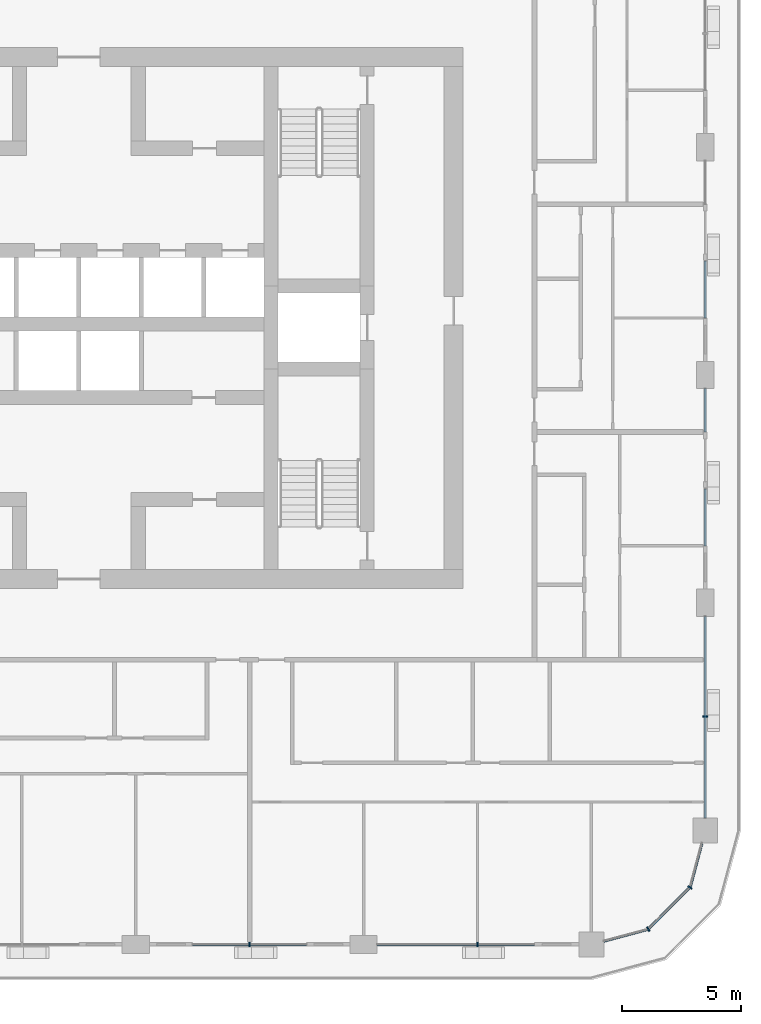
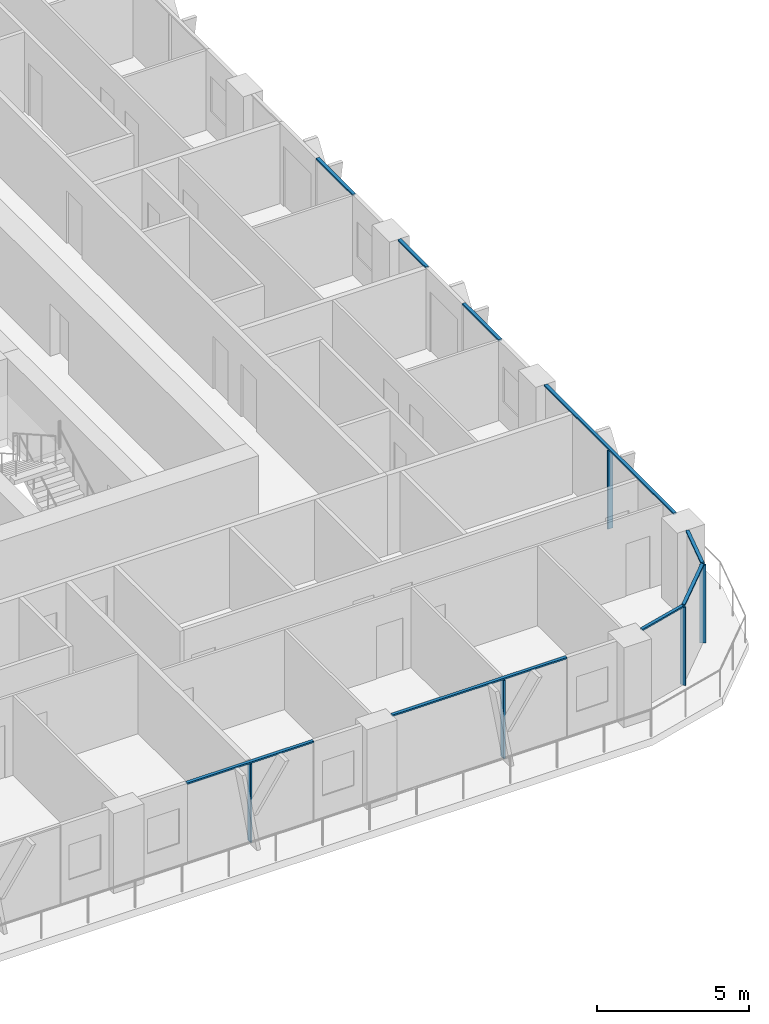
# One storey, part 4 of 22: 14 members, 6 elements without a shape of their own.
"""IFC4 building model written with IfcOpenShell, lengths in metres."""

from ifc_helpers import new_model, si_unit, direction, frame, origin, origin_2d, place, context, subcontext, project, spatial, rectangle, extrude, material, layer, layer_set, material_profile, profile_set, type_object, element, aggregate, save


model = new_model("IFC4")

# Units and contexts
model_context = context("Model", 3, precision=1e-05, world=origin(), true_north=direction((0.0, 1.0)))
body_context = subcontext(model_context, "Body", "Model", "MODEL_VIEW")
ifc_project = project(units=[si_unit("LENGTHUNIT", "METRE"), si_unit("AREAUNIT", "SQUARE_METRE"), si_unit("VOLUMEUNIT", "CUBIC_METRE"), si_unit("PLANEANGLEUNIT", "RADIAN"), si_unit("MASSUNIT", "GRAM", prefix="KILO")], contexts=[model_context])

# Site, building, storey
site_placement = place(None, origin())
site = spatial("IfcSite", under=ifc_project, at=site_placement, CompositionType="ELEMENT")
building_placement = place(site_placement, origin())
building = spatial("IfcBuilding", under=site, at=building_placement, Name="Madar Terraces", CompositionType="ELEMENT")
storey_placement = place(building_placement, frame((0.0, 0.0, 163.0)))
storey = spatial("IfcBuildingStorey", under=building, at=storey_placement, Name="L42", CompositionType="ELEMENT", Elevation=163.0)

# Curtain wall, member
ifc_material_1 = material(Name="Glass, ceramic frit dark grey, with black aluminium frame", Category="aluminium")
ifc_layer = layer(ifc_material_1, 0.199951171875)
ifc_layer_set = layer_set([ifc_layer], Name="Facade curtain wall, fritted glass")
curtain_wall_type = type_object("IfcCurtainWallType", Name="Facade curtain wall, fritted glass", PredefinedType="NOTDEFINED", material=ifc_layer_set)
curtain_wall_1_placement = place(storey_placement, origin())
curtain_wall_1 = element("IfcCurtainWall", 1, at=curtain_wall_1_placement, inside=storey, type_object=curtain_wall_type, Name="Outer skin curtain wall south bay 4", PredefinedType="NOTDEFINED")
ifc_material_2 = material(Name="Aluminium, black anodised", Category="aluminium")
ifc_material_profile_1 = material_profile(ifc_material_2, rectangle(XDim=0.199951171875, YDim=0.06005859375, at=origin_2d()), Name="Facade mullion 60x200")
ifc_profile_set_1 = profile_set([ifc_material_profile_1], Name="Aluminium, black anodised")
member_type_1 = type_object("IfcMemberType", Name="Facade mullion 60x200", PredefinedType="MULLION", material=ifc_profile_set_1)
member_1_placement = place(storey_placement, frame((38.39990234375, 0.0, 0.0), z_axis=(0.0, 0.0, 1.0), x_axis=(0.0, 1.0, 0.0)))
member_1 = element("IfcMember", 2, at=member_1_placement, type_object=member_type_1, Name="Mullion 1", PredefinedType="MULLION", context=body_context, shape_type="SweptSolid", body=[
    extrude(rectangle(XDim=0.199951171875, YDim=0.06005859375, at=origin_2d()), origin(), (0.0, 0.0, 1.0), 3.139892578125),
])

curtain_wall_2_placement = place(storey_placement, origin())
curtain_wall_2 = element("IfcCurtainWall", 3, at=curtain_wall_2_placement, inside=storey, type_object=curtain_wall_type, Name="Outer skin curtain wall south bay 5", PredefinedType="NOTDEFINED")
member_2_placement = place(storey_placement, frame((48.0, 0.0, 0.0), z_axis=(0.0, 0.0, 1.0), x_axis=(0.0, 1.0, 0.0)))
member_2 = element("IfcMember", 4, at=member_2_placement, type_object=member_type_1, Name="Mullion 1", PredefinedType="MULLION", context=body_context, shape_type="SweptSolid", body=[
    extrude(rectangle(XDim=0.199951171875, YDim=0.06005859375, at=origin_2d()), origin(), (0.0, 0.0, 1.0), 3.139892578125),
])

curtain_wall_3_placement = place(storey_placement, origin())
curtain_wall_3 = element("IfcCurtainWall", 5, at=curtain_wall_3_placement, inside=storey, type_object=curtain_wall_type, Name="Outer skin curtain wall east bay 1", PredefinedType="NOTDEFINED")
member_3_placement = place(storey_placement, frame((57.60009765625, 9.60009765625, 0.0), z_axis=(0.0, 0.0, 1.0), x_axis=(-1.0, 0.0, 0.0)))
member_3 = element("IfcMember", 6, at=member_3_placement, type_object=member_type_1, Name="Mullion 1", PredefinedType="MULLION", context=body_context, shape_type="SweptSolid", body=[
    extrude(rectangle(XDim=0.199951171875, YDim=0.06005859375, at=origin_2d()), origin(), (0.0, 0.0, 1.0), 3.139892578125),
])

# Curtain wall, members
curtain_wall_4_placement = place(storey_placement, origin())
curtain_wall_4 = element("IfcCurtainWall", 7, at=curtain_wall_4_placement, inside=storey, type_object=curtain_wall_type, Name="Outer skin curtain wall south-east corner", PredefinedType="NOTDEFINED")
member_4_placement = place(storey_placement, frame((55.199951171875, 0.64306640625, 0.0), z_axis=(0.0, 0.0, 1.0), x_axis=(-0.499999989586, 0.866025409797, 0.0)))
member_4 = element("IfcMember", 8, at=member_4_placement, type_object=member_type_1, Name="Mullion 1", PredefinedType="MULLION", context=body_context, shape_type="SweptSolid", body=[
    extrude(rectangle(XDim=0.199951171875, YDim=0.06005859375, at=origin_2d()), origin(), (0.0, 0.0, 1.0), 3.139892578125),
])
member_5_placement = place(storey_placement, frame((56.95703125, 2.39990234375, 0.0), z_axis=(0.0, 0.0, 1.0), x_axis=(-0.866025409797, 0.499999989586, 0.0)))
member_5 = element("IfcMember", 9, at=member_5_placement, type_object=member_type_1, Name="Mullion 2", PredefinedType="MULLION", context=body_context, shape_type="SweptSolid", body=[
    extrude(rectangle(XDim=0.199951171875, YDim=0.06005859375, at=origin_2d()), origin(), (0.0, 0.0, 1.0), 3.139892578125),
])

# Member
ifc_material_3 = material(Name="Aluminium, black anodised", Category="aluminium")
ifc_material_profile_2 = material_profile(ifc_material_3, rectangle(XDim=0.1201171875, YDim=0.06005859375, at=origin_2d()), Name="Facade transom 60x120")
ifc_profile_set_2 = profile_set([ifc_material_profile_2], Name="Aluminium, black anodised")
member_type_2 = type_object("IfcMemberType", Name="Facade transom 60x120", PredefinedType="USERDEFINED", material=ifc_profile_set_2)
member_6_placement = place(storey_placement, frame((36.0, 0.0, 3.169921875), z_axis=(1.0, 0.0, 0.0), x_axis=(0.0, 1.0, 0.0)))
member_6 = element("IfcMember", 10, at=member_6_placement, type_object=member_type_2, Name="Transom 1", ObjectType="TRANSOM", PredefinedType="USERDEFINED", context=body_context, shape_type="SweptSolid", body=[
    extrude(rectangle(XDim=0.1201171875, YDim=0.06005859375, at=origin_2d()), origin(), (0.0, 0.0, 1.0), 4.800048828125),
])

aggregate(curtain_wall_1, [member_1, member_6])

member_7_placement = place(storey_placement, frame((43.77490234375, 0.0, 3.169921875), z_axis=(1.0, 0.0, 0.0), x_axis=(0.0, 1.0, 0.0)))
member_7 = element("IfcMember", 11, at=member_7_placement, type_object=member_type_2, Name="Transom 1", ObjectType="TRANSOM", PredefinedType="USERDEFINED", context=body_context, shape_type="SweptSolid", body=[
    extrude(rectangle(XDim=0.1201171875, YDim=0.06005859375, at=origin_2d()), origin(), (0.0, 0.0, 1.0), 6.625),
])

aggregate(curtain_wall_2, [member_2, member_7])

member_8_placement = place(storey_placement, frame((57.60009765625, 5.324951171875, 3.169921875), z_axis=(0.0, 1.0, 0.0), x_axis=(-1.0, 0.0, 0.0)))
member_8 = element("IfcMember", 12, at=member_8_placement, type_object=member_type_2, Name="Transom 1", ObjectType="TRANSOM", PredefinedType="USERDEFINED", context=body_context, shape_type="SweptSolid", body=[
    extrude(rectangle(XDim=0.1201171875, YDim=0.06005859375, at=origin_2d()), origin(), (0.0, 0.0, 1.0), 8.5),
])

aggregate(curtain_wall_3, [member_3, member_8])

# Curtain wall, members
curtain_wall_5_placement = place(storey_placement, origin())
curtain_wall_5 = element("IfcCurtainWall", 13, at=curtain_wall_5_placement, inside=storey, type_object=curtain_wall_type, Name="Outer skin curtain wall east bay 2", PredefinedType="NOTDEFINED")
member_9_placement = place(storey_placement, frame((57.60009765625, 16.800048828125, 3.169921875), z_axis=(0.0, 1.0, 0.0), x_axis=(-1.0, 0.0, 0.0)))
member_9 = element("IfcMember", 14, at=member_9_placement, type_object=member_type_2, Name="Transom 1", ObjectType="TRANSOM", PredefinedType="USERDEFINED", context=body_context, shape_type="SweptSolid", body=[
    extrude(rectangle(XDim=0.1201171875, YDim=0.06005859375, at=origin_2d()), origin(), (0.0, 0.0, 1.0), 2.39990234375),
])
member_10_placement = place(storey_placement, frame((57.60009765625, 21.60009765625, 3.169921875), z_axis=(0.0, 1.0, 0.0), x_axis=(-1.0, 0.0, 0.0)))
member_10 = element("IfcMember", 15, at=member_10_placement, type_object=member_type_2, Name="Transom 2", ObjectType="TRANSOM", PredefinedType="USERDEFINED", context=body_context, shape_type="SweptSolid", body=[
    extrude(rectangle(XDim=0.1201171875, YDim=0.06005859375, at=origin_2d()), origin(), (0.0, 0.0, 1.0), 1.824951171875),
])
aggregate(curtain_wall_5, [member_9, member_10])

# Curtain wall, member
curtain_wall_6_placement = place(storey_placement, origin())
curtain_wall_6 = element("IfcCurtainWall", 16, at=curtain_wall_6_placement, inside=storey, type_object=curtain_wall_type, Name="Outer skin curtain wall east bay 3", PredefinedType="NOTDEFINED")
member_11_placement = place(storey_placement, frame((57.60009765625, 26.39990234375, 3.169921875), z_axis=(0.0, 1.0, 0.0), x_axis=(-1.0, 0.0, 0.0)))
member_11 = element("IfcMember", 17, at=member_11_placement, type_object=member_type_2, Name="Transom 1", ObjectType="TRANSOM", PredefinedType="USERDEFINED", context=body_context, shape_type="SweptSolid", body=[
    extrude(rectangle(XDim=0.1201171875, YDim=0.06005859375, at=origin_2d()), origin(), (0.0, 0.0, 1.0), 2.400146484375),
])
aggregate(curtain_wall_6, [member_11])

# Member
member_12_placement = place(storey_placement, frame((53.324951171875, 0.140625, 3.169921875), z_axis=(0.965933227928, 0.25879142023, 0.0), x_axis=(-0.25879142023, 0.965933227928, 0.0)))
member_12 = element("IfcMember", 18, at=member_12_placement, type_object=member_type_2, Name="Transom 1", ObjectType="TRANSOM", PredefinedType="USERDEFINED", context=body_context, shape_type="SweptSolid", body=[
    extrude(rectangle(XDim=0.1201171875, YDim=0.06005859375, at=origin_2d()), origin(), (0.0, 0.0, 1.0), 1.911376953125),
])

member_13_placement = place(storey_placement, frame((55.22119140625, 0.664306640625, 3.169921875), z_axis=(0.707106781187, 0.707106781187, 0.0), x_axis=(-0.707106781187, 0.707106781187, 0.0)))
member_13 = element("IfcMember", 19, at=member_13_placement, type_object=member_type_2, Name="Transom 2", ObjectType="TRANSOM", PredefinedType="USERDEFINED", context=body_context, shape_type="SweptSolid", body=[
    extrude(rectangle(XDim=0.1201171875, YDim=0.06005859375, at=origin_2d()), origin(), (0.0, 0.0, 1.0), 2.4248046875),
])

member_14_placement = place(storey_placement, frame((56.964599609375, 2.428955078125, 3.169921875), z_axis=(0.258823354654, 0.965924671538, 0.0), x_axis=(-0.965924671538, 0.258823354654, 0.0)))
member_14 = element("IfcMember", 20, at=member_14_placement, type_object=member_type_2, Name="Transom 3", ObjectType="TRANSOM", PredefinedType="USERDEFINED", context=body_context, shape_type="SweptSolid", body=[
    extrude(rectangle(XDim=0.1201171875, YDim=0.06005859375, at=origin_2d()), origin(), (0.0, 0.0, 1.0), 1.9111328125),
])

aggregate(curtain_wall_4, [member_4, member_12, member_5, member_13, member_14])

save(model, "model.ifc")
